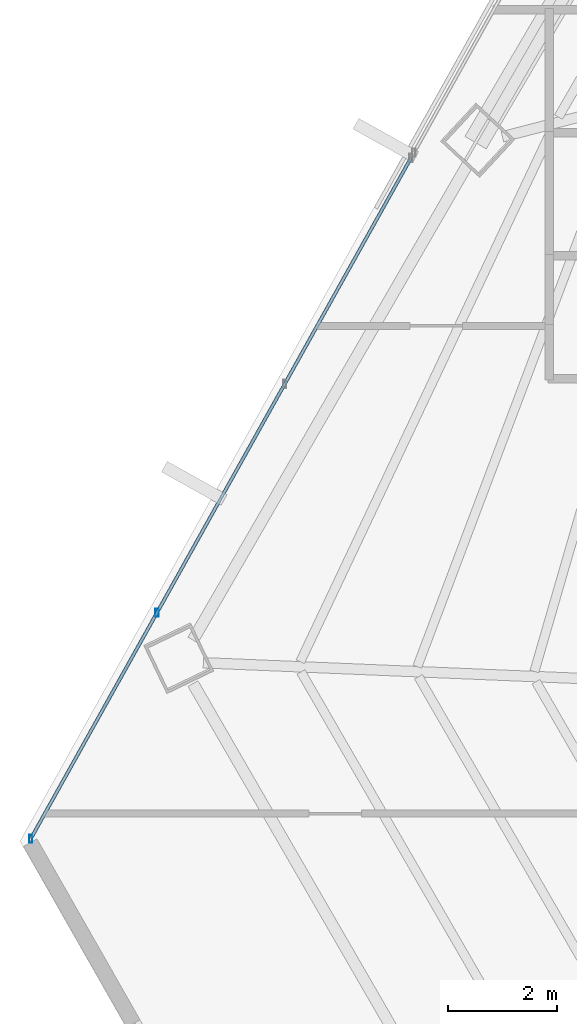
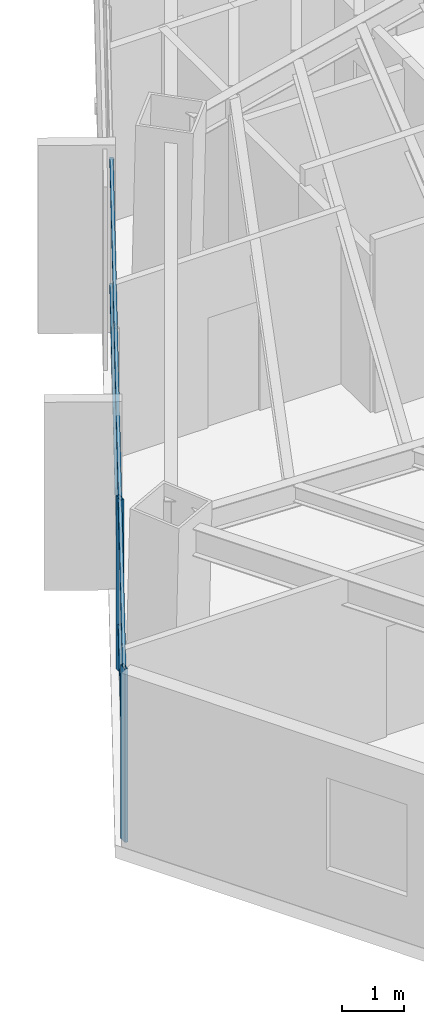
# One storey, part 6 of 38: 4 members, 1 element without a shape of its own.
"""IFC4 building model written with IfcOpenShell, lengths in metres."""

import ifcopenshell
import ifcopenshell.guid

model = None  # the IFC model being written
_history = None  # IfcOwnerHistory: only IFC2X3 demands one
_inside = {}  # id of a spatial element -> (the spatial element, [elements in it])
_under = {}  # id of a project, library or spatial element -> (it, [spatial elements below it])
_declared = {}  # id of a project -> (the project, [libraries it declares])
_typed = {}  # id of a type object -> (the type object, [elements of that type])
_made_of = {}  # id of a material, layer set ... -> (it, [elements and type objects made of it])


def new_model(schema):
    """Start an empty IFC model of exactly this schema.

    Asked for "IFC4X3", IfcOpenShell would pick the latest addendum, in which some entities
    have other attributes; the version numbers below select the first issue.
    IFC2X3 requires an IfcOwnerHistory on every rooted entity: one is made here for all.
    """
    global model, _history
    if schema == "IFC4X3":
        model = ifcopenshell.file(schema_version=(4, 3, 0, 0))
    else:
        model = ifcopenshell.file(schema=schema)
    _inside.clear()
    _under.clear()
    _declared.clear()
    _typed.clear()
    _made_of.clear()
    _history = None
    if model.schema == "IFC2X3":
        org = make("IfcOrganization", Name="unknown")
        user = make(
            "IfcPersonAndOrganization",
            ThePerson=make("IfcPerson", FamilyName="unknown"),
            TheOrganization=org,
        )
        app = make(
            "IfcApplication",
            ApplicationDeveloper=org,
            Version="unknown",
            ApplicationFullName="unknown",
            ApplicationIdentifier="unknown",
        )
        _history = make(
            "IfcOwnerHistory",
            OwningUser=user,
            OwningApplication=app,
            ChangeAction="ADDED",
            CreationDate=0,
        )
    return model


def make(cls, **values):
    """One entity of the class cls with the attributes given. An attribute that is None is left unset."""
    return model.create_entity(
        cls, **{name: value for name, value in values.items() if value is not None}
    )


def rooted(cls, **values):
    """An entity with a GlobalId (a new one), such as an element, a storey or a relation."""
    return make(cls, GlobalId=ifcopenshell.guid.new(), OwnerHistory=_history, **values)


def si_unit(unit_type, name, prefix=None):
    """IfcSIUnit, for example si_unit("LENGTHUNIT", "METRE", prefix="MILLI")."""
    return make("IfcSIUnit", UnitType=unit_type, Prefix=prefix, Name=name)


def assignment(units):
    """IfcUnitAssignment: the units of a project."""
    return None if units is None else make("IfcUnitAssignment", Units=units)


def point(xyz):
    """IfcCartesianPoint."""
    return None if xyz is None else make("IfcCartesianPoint", Coordinates=xyz)


def direction(xyz):
    """IfcDirection."""
    return None if xyz is None else make("IfcDirection", DirectionRatios=xyz)


def frame(location, z_axis=None, x_axis=None):
    """IfcAxis2Placement3D, a coordinate frame: its origin and axes. An axis left out is left unset."""
    return make(
        "IfcAxis2Placement3D",
        Location=point(location),
        Axis=direction(z_axis),
        RefDirection=direction(x_axis),
    )


def frame_2d(location, x_axis=None):
    """IfcAxis2Placement2D, a coordinate frame in the plane: its origin and x axis."""
    return make(
        "IfcAxis2Placement2D", Location=point(location), RefDirection=direction(x_axis)
    )


def origin():
    """The frame at (0, 0, 0) with its axes left unset."""
    return frame((0.0, 0.0, 0.0))


def origin_2d():
    """The frame at (0, 0) in the plane with its x axis left unset."""
    return frame_2d((0.0, 0.0))


def place(relative_to, where):
    """IfcLocalPlacement: puts the frame where relative to a parent placement (None: the world)."""
    return make(
        "IfcLocalPlacement", PlacementRelTo=relative_to, RelativePlacement=where
    )


def context(
    kind, dimensions, precision=None, world=None, true_north=None, identifier=None
):
    """IfcGeometricRepresentationContext, for example the 3D "Model" context."""
    return make(
        "IfcGeometricRepresentationContext",
        ContextIdentifier=identifier,
        ContextType=kind,
        CoordinateSpaceDimension=dimensions,
        Precision=precision,
        WorldCoordinateSystem=world,
        TrueNorth=true_north,
    )


def subcontext(parent, identifier, kind, view, scale=None):
    """IfcGeometricRepresentationSubContext, for example "Body" below "Model"."""
    return make(
        "IfcGeometricRepresentationSubContext",
        ContextIdentifier=identifier,
        ContextType=kind,
        ParentContext=parent,
        TargetScale=scale,
        TargetView=view,
    )


def project(units=None, contexts=None):
    """IfcProject with its units and contexts."""
    return rooted(
        "IfcProject",
        Name="project",
        RepresentationContexts=contexts,
        UnitsInContext=assignment(units),
    )


def spatial(cls, under=None, at=None, **own):
    """A site, building, storey or space (cls), placed at a placement, below another one or the project."""
    s = rooted(cls, ObjectPlacement=at, **own)
    if under is not None:
        _under.setdefault(under.id(), (under, []))[1].append(s)
    return s


def profile(cls, at=None, kind="AREA", **sizes):
    """A parametric profile (cls). Its sizes go by their IFC names, for example OverallWidth=200.0."""
    return make(cls, ProfileType=kind, Position=at, **sizes)


def hollow_rectangle(**sizes):
    """IfcRectangleHollowProfileDef."""
    return profile("IfcRectangleHollowProfileDef", **sizes)


def extrude(swept, where, along, depth):
    """IfcExtrudedAreaSolid: the profile swept, set in the frame where, extruded along a direction by depth."""
    return make(
        "IfcExtrudedAreaSolid",
        SweptArea=swept,
        Position=where,
        ExtrudedDirection=direction(along),
        Depth=depth,
    )


def shape(context_of_items, identifier, shape_type, items):
    """IfcShapeRepresentation: the items that make up one representation, for example the "Body"."""
    return make(
        "IfcShapeRepresentation",
        ContextOfItems=context_of_items,
        RepresentationIdentifier=identifier,
        RepresentationType=shape_type,
        Items=items,
    )


def source(mapping_origin, context_of_items, identifier, shape_type, items):
    """IfcRepresentationMap: a shape defined once, which mapped items show again and again."""
    return make(
        "IfcRepresentationMap",
        MappingOrigin=mapping_origin,
        MappedRepresentation=shape(context_of_items, identifier, shape_type, items),
    )


def transform(
    local_origin,
    x_axis=None,
    y_axis=None,
    z_axis=None,
    scale=None,
    scale2=None,
    scale3=None,
    uniform=True,
):
    """IfcCartesianTransformationOperator3D, or its non-uniform kind. x_axis, y_axis, z_axis: its Axis1, 2, 3."""
    if uniform:
        return make(
            "IfcCartesianTransformationOperator3D",
            Axis1=direction(x_axis),
            Axis2=direction(y_axis),
            LocalOrigin=point(local_origin),
            Scale=scale,
            Axis3=direction(z_axis),
        )
    return make(
        "IfcCartesianTransformationOperator3DnonUniform",
        Axis1=direction(x_axis),
        Axis2=direction(y_axis),
        LocalOrigin=point(local_origin),
        Scale=scale,
        Axis3=direction(z_axis),
        Scale2=scale2,
        Scale3=scale3,
    )


def mapped(mapping_source, mapping_target):
    """IfcMappedItem: shows the shape of a source again, moved by a transform."""
    return make(
        "IfcMappedItem", MappingSource=mapping_source, MappingTarget=mapping_target
    )


def material(Name=None, Category=None):
    """IfcMaterial."""
    return make("IfcMaterial", Name=Name, Category=Category)


def material_profile(
    of_material, cross_section, Name=None, Category=None, Priority=None
):
    """IfcMaterialProfile: a cross section and its material."""
    return make(
        "IfcMaterialProfile",
        Name=Name,
        Material=of_material,
        Profile=cross_section,
        Priority=Priority,
        Category=Category,
    )


def profile_set(profiles, Name=None, composite=None):
    """IfcMaterialProfileSet."""
    return make(
        "IfcMaterialProfileSet",
        Name=Name,
        MaterialProfiles=profiles,
        CompositeProfile=composite,
    )


def made_of(thing, what):
    """Note that an element or type object is made of a material, layer set ...; save() writes the relation."""
    if what is not None:
        _made_of.setdefault(what.id(), (what, []))[1].append(thing)
    return thing


def type_object(cls, material=None, **own):
    """A type object (cls), such as IfcWallType, which elements share."""
    return made_of(rooted(cls, **own), material)


def type_shapes(of_type, sources):
    """Give a type object the sources (RepresentationMaps) that its elements show as mapped items."""
    of_type.RepresentationMaps = sources


def element(
    cls,
    number,
    at=None,
    inside=None,
    cuts=None,
    type_object=None,
    material=None,
    context=None,
    identifier="Body",
    shape_type=None,
    held_by="IfcProductDefinitionShape",
    body=None,
    shapes=None,
    **own,
):
    """One element of the class cls, such as IfcWall. Its Tag is "e" and its number.

    at: its placement. inside: the storey or other place that contains it. cuts: it is an
    opening in that element (IfcRelVoidsElement). A single representation is given by context,
    identifier, shape_type and body (its items); several are given by shapes. held_by: the class
    of the entity that holds the representations. save() writes the other relations.
    """
    e = rooted(cls, Tag="e%d" % number, ObjectPlacement=at, **own)
    if body is not None:
        shapes = [shape(context, identifier, shape_type, body)]
    if shapes is not None:
        e.Representation = make(held_by, Representations=shapes)
    if inside is not None:
        _inside.setdefault(inside.id(), (inside, []))[1].append(e)
    if cuts is not None:
        rooted(
            "IfcRelVoidsElement", RelatingBuildingElement=cuts, RelatedOpeningElement=e
        )
    if type_object is not None:
        _typed.setdefault(type_object.id(), (type_object, []))[1].append(e)
    return made_of(e, material)


def aggregate(whole, parts):
    """IfcRelAggregates: a whole, such as a stair, and the parts it consists of."""
    return rooted("IfcRelAggregates", RelatingObject=whole, RelatedObjects=parts)


def save(model, path):
    """Write the relations noted so far, then the file.

    IfcRelAggregates (storeys below a building ...), IfcRelContainedInSpatialStructure (elements
    in a storey), IfcRelDefinesByType, IfcRelAssociatesMaterial and IfcRelDeclares: one each for
    every whole, place, type object, material and project.
    """
    for whole, parts in _under.values():
        aggregate(whole, parts)
    for where, things in _inside.values():
        rooted(
            "IfcRelContainedInSpatialStructure",
            RelatedElements=things,
            RelatingStructure=where,
        )
    for kind, things in _typed.values():
        rooted("IfcRelDefinesByType", RelatedObjects=things, RelatingType=kind)
    for what, things in _made_of.values():
        rooted("IfcRelAssociatesMaterial", RelatedObjects=things, RelatingMaterial=what)
    for by, libraries in _declared.values():
        rooted("IfcRelDeclares", RelatingContext=by, RelatedDefinitions=libraries)
    model.write(path)


model = new_model("IFC4")

# Units and contexts
model_context = context("Model", 3, precision=1e-05, world=origin(), true_north=direction((0.0, 1.0)))
body_context = subcontext(model_context, "Body", "Model", "MODEL_VIEW")
ifc_project = project(units=[si_unit("LENGTHUNIT", "METRE"), si_unit("AREAUNIT", "SQUARE_METRE"), si_unit("VOLUMEUNIT", "CUBIC_METRE"), si_unit("PLANEANGLEUNIT", "RADIAN"), si_unit("MASSUNIT", "GRAM", prefix="KILO")], contexts=[model_context])

# Site, building, storey
site_placement = place(None, origin())
site = spatial("IfcSite", under=ifc_project, at=site_placement, CompositionType="ELEMENT")
building_placement = place(site_placement, origin())
building = spatial("IfcBuilding", under=site, at=building_placement, Name="Caelisora Broadcast Tower", CompositionType="ELEMENT")
storey_placement = place(building_placement, frame((0.0, 0.0, 158.5)))
storey = spatial("IfcBuildingStorey", under=building, at=storey_placement, Name="L41", CompositionType="ELEMENT", Elevation=158.5)

# Curtain wall, members
ifc_material_1 = material(Name="Unitised Aluminium and Low-E Glass Curtain Wall", Category="glass")
curtain_wall_type = type_object("IfcCurtainWallType", Name="CW-Z3", PredefinedType="NOTDEFINED", material=ifc_material_1)
curtain_wall_placement = place(storey_placement, origin())
curtain_wall = element("IfcCurtainWall", 1, at=curtain_wall_placement, inside=storey, type_object=curtain_wall_type, Name="L41 curtain wall CW-Z3", PredefinedType="NOTDEFINED")
ifc_material_2 = material(Name="Aluminium 6063-T6 Anodised Terracotta Bronze", Category="aluminium")
ifc_material_profile_1 = material_profile(ifc_material_2, hollow_rectangle(XDim=0.06005859375, YDim=0.14990234375, WallThickness=0.00341796875, at=origin_2d()), Name="Aluminium 6063-T6 Anodised Terracotta Bronze")
ifc_profile_set_1 = profile_set([ifc_material_profile_1], Name="Aluminium 6063-T6 Anodised Terracotta Bronze")
member_type_1 = type_object("IfcMemberType", Name="CWM-03", PredefinedType="MULLION", material=ifc_profile_set_1)
shared_shape_1 = source(origin(), body_context, "Body", "SweptSolid", [
    extrude(hollow_rectangle(XDim=0.06005859375, YDim=0.14990234375, WallThickness=0.00341796875, at=origin_2d()), origin(), (0.0, 0.0, 1.0), 3.39990234375),
])
type_shapes(member_type_1, [shared_shape_1])
member_1_placement = place(storey_placement, frame((12.721435546875, 14.790771484375, 0.0), z_axis=(0.0, 0.0, 1.0), x_axis=(1.0, 0.0, 0.0)))
member_1 = element("IfcMember", 2, at=member_1_placement, type_object=member_type_1, Name="L41-CW-B09 mullion #0", PredefinedType="MULLION", context=body_context, shape_type="MappedRepresentation", body=[
    mapped(shared_shape_1, transform((0.0, 0.0, 0.0), scale=1.0)),
])
member_2_placement = place(storey_placement, frame((15.03076171875, 18.925537109375, 0.0), z_axis=(0.0, 0.0, 1.0), x_axis=(1.0, 0.0, 0.0)))
member_2 = element("IfcMember", 3, at=member_2_placement, type_object=member_type_1, Name="L41-CW-B09 mullion #1", PredefinedType="MULLION", context=body_context, shape_type="MappedRepresentation", body=[
    mapped(shared_shape_1, transform((0.0, 0.0, 0.0), scale=1.0)),
])
ifc_material_profile_2 = material_profile(ifc_material_2, hollow_rectangle(XDim=0.06005859375, YDim=0.14990234375, WallThickness=0.00341796875, at=origin_2d()), Name="Aluminium 6063-T6 Anodised Terracotta Bronze")
ifc_profile_set_2 = profile_set([ifc_material_profile_2], Name="Aluminium 6063-T6 Anodised Terracotta Bronze")
member_type_2 = type_object("IfcMemberType", Name="CWT-02", PredefinedType="USERDEFINED", material=ifc_profile_set_2)
shared_shape_2 = source(origin(), body_context, "Body", "SweptSolid", [
    extrude(hollow_rectangle(XDim=0.06005859375, YDim=0.14990234375, WallThickness=0.00341796875, at=origin_2d()), origin(), (0.0, 0.0, 1.0), 14.25830078125),
])
type_shapes(member_type_2, [shared_shape_2])
member_3_placement = place(storey_placement, frame((12.721435546875, 14.790771484375, 0.85009765625), z_axis=(0.48760144549, 0.87306633789, 0.0), x_axis=(-0.87306633789, 0.48760144549, 0.0)))
member_3 = element("IfcMember", 4, at=member_3_placement, type_object=member_type_2, Name="L41-CW-B09 transom #1", ObjectType="TRANSOM", PredefinedType="USERDEFINED", context=body_context, shape_type="MappedRepresentation", body=[
    mapped(shared_shape_2, transform((0.0, 0.0, 0.0), scale=1.0)),
])
member_4_placement = place(storey_placement, frame((12.721435546875, 14.790771484375, 3.320068359375), z_axis=(0.48760144549, 0.87306633789, 0.0), x_axis=(-0.87306633789, 0.48760144549, 0.0)))
member_4 = element("IfcMember", 5, at=member_4_placement, type_object=member_type_2, Name="L41-CW-B09 transom #2", ObjectType="TRANSOM", PredefinedType="USERDEFINED", context=body_context, shape_type="MappedRepresentation", body=[
    mapped(shared_shape_2, transform((0.0, 0.0, 0.0), scale=1.0)),
])
aggregate(curtain_wall, [member_1, member_2, member_3, member_4])

save(model, "model.ifc")
